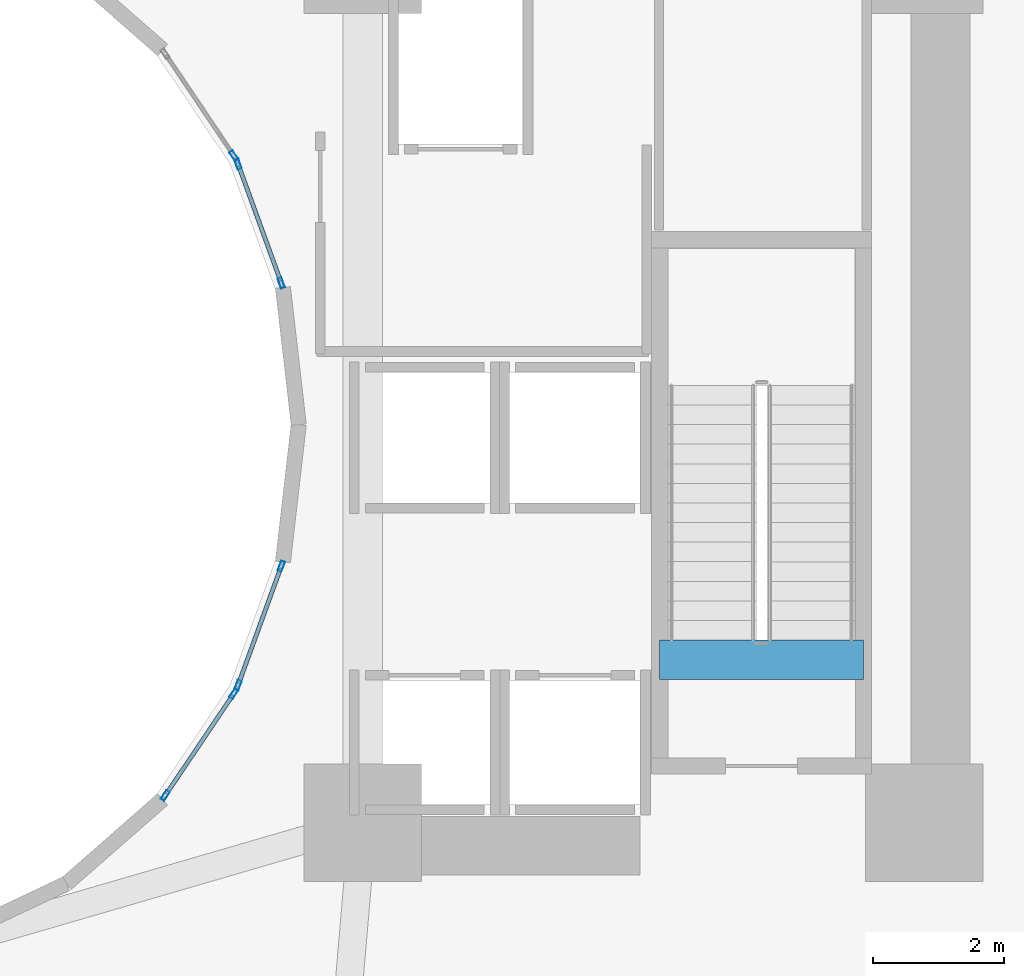
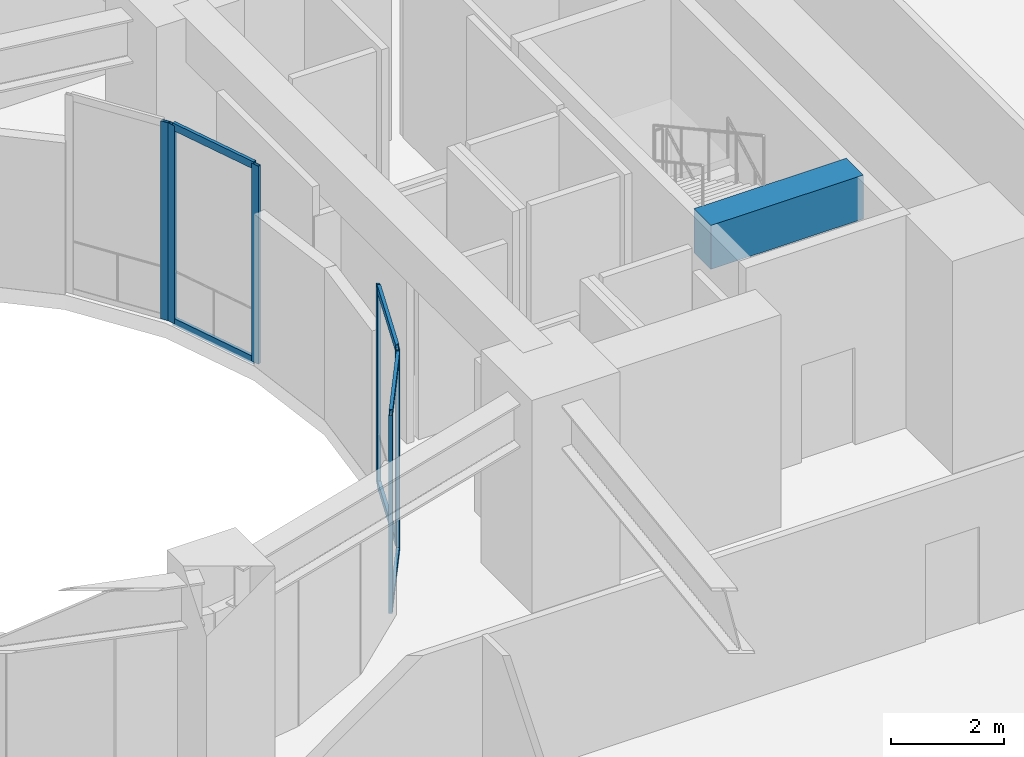
# One storey, part 7 of 25: 13 members, 1 beam, 4 elements without a shape of their own.
"""IFC4 building model written with IfcOpenShell, lengths in metres."""

from ifc_helpers import new_model, si_unit, direction, frame, origin, origin_2d, place, context, subcontext, project, spatial, rectangle, hollow_rectangle, extrude, material, layer, layer_set, material_profile, profile_set, type_object, element, aggregate, save


model = new_model("IFC4")

# Units and contexts
model_context = context("Model", 3, precision=1e-05, world=origin(), true_north=direction((0.0, 1.0)))
body_context = subcontext(model_context, "Body", "Model", "MODEL_VIEW")
ifc_project = project(units=[si_unit("LENGTHUNIT", "METRE"), si_unit("AREAUNIT", "SQUARE_METRE"), si_unit("VOLUMEUNIT", "CUBIC_METRE"), si_unit("PLANEANGLEUNIT", "RADIAN"), si_unit("MASSUNIT", "GRAM", prefix="KILO")], contexts=[model_context])

# Site, building, storey
site_placement = place(None, origin())
site = spatial("IfcSite", under=ifc_project, at=site_placement, CompositionType="ELEMENT")
building_placement = place(site_placement, origin())
building = spatial("IfcBuilding", under=site, at=building_placement, Name="Solvane Sanctuary Tower", CompositionType="ELEMENT")
storey_placement = place(building_placement, frame((0.0, 0.0, 4.60009765625)))
storey = spatial("IfcBuildingStorey", under=building, at=storey_placement, Name="L02", CompositionType="ELEMENT", Elevation=4.60009765625)

# Beam
ifc_material_1 = material(Name="Concrete C70/85", Category="concrete")
ifc_material_profile_1 = material_profile(ifc_material_1, rectangle(XDim=0.60009765625, YDim=0.949951171875, at=origin_2d()), Name="RC600X950")
ifc_profile_set_1 = profile_set([ifc_material_profile_1], Name="Concrete C70/85")
beam_type = type_object("IfcBeamType", Name="Beam B-COUPLE RC600X950", PredefinedType="LINTEL", material=ifc_profile_set_1)
beam_placement = place(storey_placement, frame((44.64990234375, 19.399169921875, 4.125), z_axis=(1.0, 0.0, 0.0), x_axis=(0.0, 1.0, 0.0)))
element("IfcBeam", 1, at=beam_placement, inside=storey, type_object=beam_type, Name="L02 ST-2 Stair Floor Landing Trimmer", PredefinedType="LINTEL", context=body_context, shape_type="SweptSolid", body=[
    extrude(rectangle(XDim=0.60009765625, YDim=0.949951171875, at=origin_2d()), origin(), (0.0, 0.0, 1.0), 3.1201171875),
])

# Curtain wall, members
ifc_material_2 = material(Name="Anodised Aluminium 6063-T6", Category="aluminium")
ifc_layer = layer(ifc_material_2, 0.199951171875, Name="Anodised Aluminium 6063-T6")
ifc_layer_set = layer_set([ifc_layer], Name="Anodised Aluminium 6063-T6")
curtain_wall_type = type_object("IfcCurtainWallType", Name="Curtain Wall CW-WELL", PredefinedType="NOTDEFINED", material=ifc_layer_set)
curtain_wall_1_placement = place(storey_placement, origin())
curtain_wall_1 = element("IfcCurtainWall", 2, at=curtain_wall_1_placement, inside=storey, type_object=curtain_wall_type, Name="L02 Light-Well Curtain Wall 01", PredefinedType="NOTDEFINED")
ifc_material_profile_2 = material_profile(ifc_material_2, hollow_rectangle(XDim=0.06494140625, YDim=0.159912109375, WallThickness=0.00341796875, at=origin_2d()), Name="ALU160X65X3.5")
ifc_profile_set_2 = profile_set([ifc_material_profile_2], Name="Anodised Aluminium 6063-T6")
member_type_1 = type_object("IfcMemberType", Name="Member M-CW-MUL-2 ALU160X65X3.5", PredefinedType="MULLION", material=ifc_profile_set_2)
member_1_placement = place(storey_placement, frame((38.8525390625, 25.169677734375, 0.0), z_axis=(0.0, 0.0, 1.0), x_axis=(-0.939937610132, -0.341346289067, 0.0)))
member_1 = element("IfcMember", 3, at=member_1_placement, type_object=member_type_1, Name="CW-WELL mullion 1", PredefinedType="MULLION", context=body_context, shape_type="SweptSolid", body=[
    extrude(hollow_rectangle(XDim=0.06494140625, YDim=0.159912109375, WallThickness=0.00341796875, at=origin_2d()), origin(), (0.0, 0.0, 1.0), 4.27978515625),
])
member_2_placement = place(storey_placement, frame((38.19091796875, 26.991943359375, 0.0), z_axis=(0.0, 0.0, 1.0), x_axis=(-0.939937610132, -0.341346289067, 0.0)))
member_2 = element("IfcMember", 4, at=member_2_placement, type_object=member_type_1, Name="CW-WELL mullion 2", PredefinedType="MULLION", context=body_context, shape_type="SweptSolid", body=[
    extrude(hollow_rectangle(XDim=0.06494140625, YDim=0.159912109375, WallThickness=0.00341796875, at=origin_2d()), origin(), (0.0, 0.0, 1.0), 4.27978515625),
])

# Curtain wall, member
curtain_wall_2_placement = place(storey_placement, origin())
curtain_wall_2 = element("IfcCurtainWall", 5, at=curtain_wall_2_placement, inside=storey, type_object=curtain_wall_type, Name="L02 Light-Well Curtain Wall 02", PredefinedType="NOTDEFINED")
member_3_placement = place(storey_placement, frame((38.125732421875, 27.1201171875, 0.0), z_axis=(0.0, 0.0, 1.0), x_axis=(-0.829664150104, -0.558262839559, 0.0)))
member_3 = element("IfcMember", 6, at=member_3_placement, type_object=member_type_1, Name="CW-WELL mullion 1", PredefinedType="MULLION", context=body_context, shape_type="SweptSolid", body=[
    extrude(hollow_rectangle(XDim=0.06494140625, YDim=0.159912109375, WallThickness=0.00341796875, at=origin_2d()), origin(), (0.0, 0.0, 1.0), 4.27978515625),
])
aggregate(curtain_wall_2, [member_3])

# Curtain wall, members
curtain_wall_3_placement = place(storey_placement, origin())
curtain_wall_3 = element("IfcCurtainWall", 7, at=curtain_wall_3_placement, inside=storey, type_object=curtain_wall_type, Name="L02 Light-Well Curtain Wall 21", PredefinedType="NOTDEFINED")
member_4_placement = place(storey_placement, frame((37.074951171875, 17.318359375, 0.0), z_axis=(0.0, 0.0, 1.0), x_axis=(-0.829664150104, 0.558262839559, 0.0)))
member_4 = element("IfcMember", 8, at=member_4_placement, type_object=member_type_1, Name="CW-WELL mullion 1", PredefinedType="MULLION", context=body_context, shape_type="SweptSolid", body=[
    extrude(hollow_rectangle(XDim=0.06494140625, YDim=0.159912109375, WallThickness=0.00341796875, at=origin_2d()), origin(), (0.0, 0.0, 1.0), 4.27978515625),
])
member_5_placement = place(storey_placement, frame((38.125732421875, 18.8798828125, 0.0), z_axis=(0.0, 0.0, 1.0), x_axis=(-0.829664150104, 0.558262839559, 0.0)))
member_5 = element("IfcMember", 9, at=member_5_placement, type_object=member_type_1, Name="CW-WELL mullion 2", PredefinedType="MULLION", context=body_context, shape_type="SweptSolid", body=[
    extrude(hollow_rectangle(XDim=0.06494140625, YDim=0.159912109375, WallThickness=0.00341796875, at=origin_2d()), origin(), (0.0, 0.0, 1.0), 4.27978515625),
])

curtain_wall_4_placement = place(storey_placement, origin())
curtain_wall_4 = element("IfcCurtainWall", 10, at=curtain_wall_4_placement, inside=storey, type_object=curtain_wall_type, Name="L02 Light-Well Curtain Wall 22", PredefinedType="NOTDEFINED")
member_6_placement = place(storey_placement, frame((38.19091796875, 19.008056640625, 0.0), z_axis=(0.0, 0.0, 1.0), x_axis=(-0.939937610132, 0.341346289067, 0.0)))
member_6 = element("IfcMember", 11, at=member_6_placement, type_object=member_type_1, Name="CW-WELL mullion 1", PredefinedType="MULLION", context=body_context, shape_type="SweptSolid", body=[
    extrude(hollow_rectangle(XDim=0.06494140625, YDim=0.159912109375, WallThickness=0.00341796875, at=origin_2d()), origin(), (0.0, 0.0, 1.0), 4.27978515625),
])
member_7_placement = place(storey_placement, frame((38.8525390625, 20.830322265625, 0.0), z_axis=(0.0, 0.0, 1.0), x_axis=(-0.939937610132, 0.341346289067, 0.0)))
member_7 = element("IfcMember", 12, at=member_7_placement, type_object=member_type_1, Name="CW-WELL mullion 2", PredefinedType="MULLION", context=body_context, shape_type="SweptSolid", body=[
    extrude(hollow_rectangle(XDim=0.06494140625, YDim=0.159912109375, WallThickness=0.00341796875, at=origin_2d()), origin(), (0.0, 0.0, 1.0), 4.27978515625),
])

# Member
ifc_material_profile_3 = material_profile(ifc_material_2, hollow_rectangle(XDim=0.06494140625, YDim=0.159912109375, WallThickness=0.00341796875, at=origin_2d()), Name="ALU160X65X3.5")
ifc_profile_set_3 = profile_set([ifc_material_profile_3], Name="Anodised Aluminium 6063-T6")
member_type_2 = type_object("IfcMemberType", Name="Member M-CW-TRN-1 ALU160X65X3.5", PredefinedType="USERDEFINED", material=ifc_profile_set_3)
member_8_placement = place(storey_placement, frame((38.841552734375, 25.2001953125, 0.032470703125), z_axis=(-0.341366423667, 0.939930297837, 0.0), x_axis=(-0.939930297837, -0.341366423667, 0.0)))
member_8 = element("IfcMember", 13, at=member_8_placement, type_object=member_type_2, Name="CW-WELL transom 1.1", ObjectType="TRANSOM", PredefinedType="USERDEFINED", context=body_context, shape_type="SweptSolid", body=[
    extrude(hollow_rectangle(XDim=0.06494140625, YDim=0.159912109375, WallThickness=0.00341796875, at=origin_2d()), origin(), (0.0, 0.0, 1.0), 1.873779296875),
])

member_9_placement = place(storey_placement, frame((38.841552734375, 25.2001953125, 4.247314453125), z_axis=(-0.341366423667, 0.939930297837, 0.0), x_axis=(-0.939930297837, -0.341366423667, 0.0)))
member_9 = element("IfcMember", 14, at=member_9_placement, type_object=member_type_2, Name="CW-WELL transom 1.2", ObjectType="TRANSOM", PredefinedType="USERDEFINED", context=body_context, shape_type="SweptSolid", body=[
    extrude(hollow_rectangle(XDim=0.06494140625, YDim=0.159912109375, WallThickness=0.00341796875, at=origin_2d()), origin(), (0.0, 0.0, 1.0), 1.873779296875),
])

aggregate(curtain_wall_1, [member_1, member_2, member_8, member_9])

member_10_placement = place(storey_placement, frame((37.09326171875, 17.345458984375, 0.032470703125), z_axis=(0.558230518083, 0.829685897603, 0.0), x_axis=(-0.829685897603, 0.558230518083, 0.0)))
member_10 = element("IfcMember", 15, at=member_10_placement, type_object=member_type_2, Name="CW-WELL transom 1.1", ObjectType="TRANSOM", PredefinedType="USERDEFINED", context=body_context, shape_type="SweptSolid", body=[
    extrude(hollow_rectangle(XDim=0.06494140625, YDim=0.159912109375, WallThickness=0.00341796875, at=origin_2d()), origin(), (0.0, 0.0, 1.0), 1.816650390625),
])

member_11_placement = place(storey_placement, frame((37.09326171875, 17.345458984375, 4.247314453125), z_axis=(0.558230518083, 0.829685897603, 0.0), x_axis=(-0.829685897603, 0.558230518083, 0.0)))
member_11 = element("IfcMember", 16, at=member_11_placement, type_object=member_type_2, Name="CW-WELL transom 1.2", ObjectType="TRANSOM", PredefinedType="USERDEFINED", context=body_context, shape_type="SweptSolid", body=[
    extrude(hollow_rectangle(XDim=0.06494140625, YDim=0.159912109375, WallThickness=0.00341796875, at=origin_2d()), origin(), (0.0, 0.0, 1.0), 1.816650390625),
])

aggregate(curtain_wall_3, [member_4, member_5, member_10, member_11])

member_12_placement = place(storey_placement, frame((38.201904296875, 19.03857421875, 0.032470703125), z_axis=(0.341366423667, 0.939930297837, 0.0), x_axis=(-0.939930297837, 0.341366423667, 0.0)))
member_12 = element("IfcMember", 17, at=member_12_placement, type_object=member_type_2, Name="CW-WELL transom 1.1", ObjectType="TRANSOM", PredefinedType="USERDEFINED", context=body_context, shape_type="SweptSolid", body=[
    extrude(hollow_rectangle(XDim=0.06494140625, YDim=0.159912109375, WallThickness=0.00341796875, at=origin_2d()), origin(), (0.0, 0.0, 1.0), 1.873779296875),
])

member_13_placement = place(storey_placement, frame((38.201904296875, 19.03857421875, 4.247314453125), z_axis=(0.341366423667, 0.939930297837, 0.0), x_axis=(-0.939930297837, 0.341366423667, 0.0)))
member_13 = element("IfcMember", 18, at=member_13_placement, type_object=member_type_2, Name="CW-WELL transom 1.2", ObjectType="TRANSOM", PredefinedType="USERDEFINED", context=body_context, shape_type="SweptSolid", body=[
    extrude(hollow_rectangle(XDim=0.06494140625, YDim=0.159912109375, WallThickness=0.00341796875, at=origin_2d()), origin(), (0.0, 0.0, 1.0), 1.873779296875),
])

aggregate(curtain_wall_4, [member_6, member_7, member_12, member_13])

save(model, "model.ifc")
